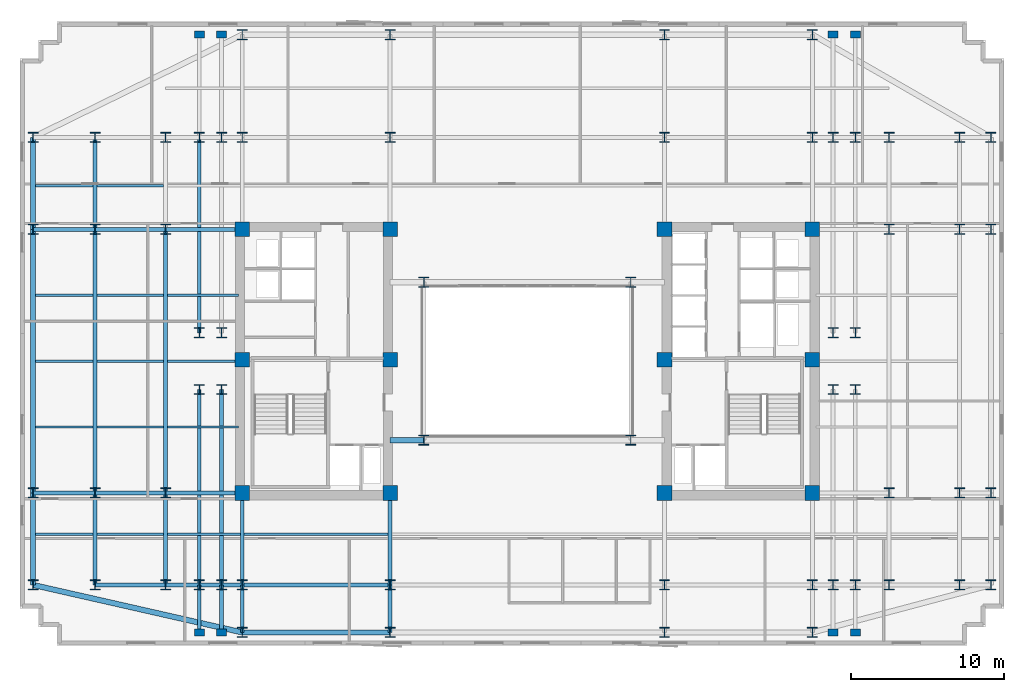
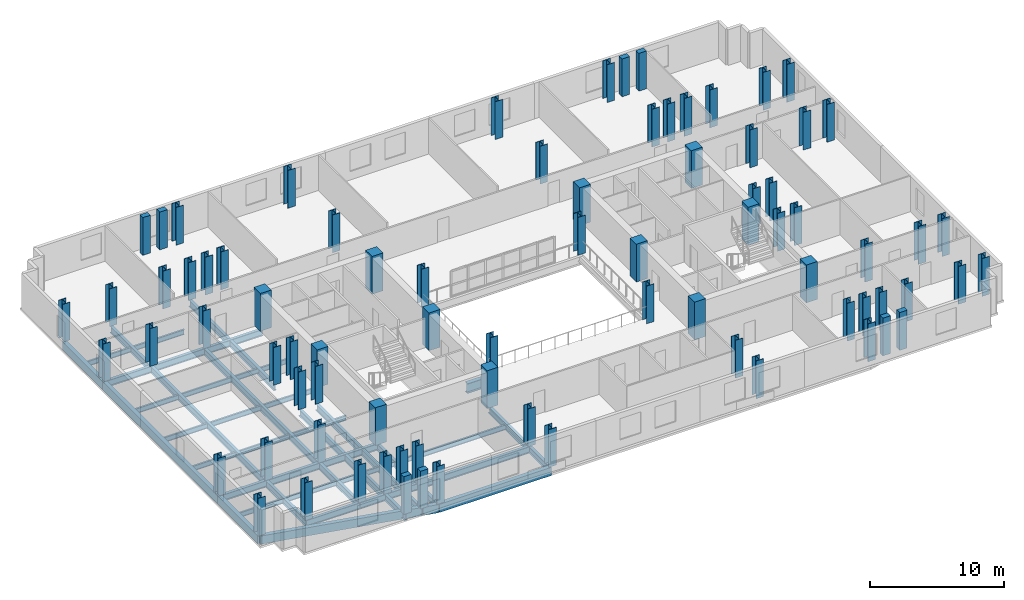
# One storey, part 1 of 12: 80 columns, 44 beams.
"""IFC4 building model written with IfcOpenShell, lengths in metres."""

import ifcopenshell
import ifcopenshell.guid

model = None  # the IFC model being written
_history = None  # IfcOwnerHistory: only IFC2X3 demands one
_inside = {}  # id of a spatial element -> (the spatial element, [elements in it])
_under = {}  # id of a project, library or spatial element -> (it, [spatial elements below it])
_declared = {}  # id of a project -> (the project, [libraries it declares])
_typed = {}  # id of a type object -> (the type object, [elements of that type])
_made_of = {}  # id of a material, layer set ... -> (it, [elements and type objects made of it])


def new_model(schema):
    """Start an empty IFC model of exactly this schema.

    Asked for "IFC4X3", IfcOpenShell would pick the latest addendum, in which some entities
    have other attributes; the version numbers below select the first issue.
    IFC2X3 requires an IfcOwnerHistory on every rooted entity: one is made here for all.
    """
    global model, _history
    if schema == "IFC4X3":
        model = ifcopenshell.file(schema_version=(4, 3, 0, 0))
    else:
        model = ifcopenshell.file(schema=schema)
    _inside.clear()
    _under.clear()
    _declared.clear()
    _typed.clear()
    _made_of.clear()
    _history = None
    if model.schema == "IFC2X3":
        org = make("IfcOrganization", Name="unknown")
        user = make(
            "IfcPersonAndOrganization",
            ThePerson=make("IfcPerson", FamilyName="unknown"),
            TheOrganization=org,
        )
        app = make(
            "IfcApplication",
            ApplicationDeveloper=org,
            Version="unknown",
            ApplicationFullName="unknown",
            ApplicationIdentifier="unknown",
        )
        _history = make(
            "IfcOwnerHistory",
            OwningUser=user,
            OwningApplication=app,
            ChangeAction="ADDED",
            CreationDate=0,
        )
    return model


def make(cls, **values):
    """One entity of the class cls with the attributes given. An attribute that is None is left unset."""
    return model.create_entity(
        cls, **{name: value for name, value in values.items() if value is not None}
    )


def rooted(cls, **values):
    """An entity with a GlobalId (a new one), such as an element, a storey or a relation."""
    return make(cls, GlobalId=ifcopenshell.guid.new(), OwnerHistory=_history, **values)


def si_unit(unit_type, name, prefix=None):
    """IfcSIUnit, for example si_unit("LENGTHUNIT", "METRE", prefix="MILLI")."""
    return make("IfcSIUnit", UnitType=unit_type, Prefix=prefix, Name=name)


def assignment(units):
    """IfcUnitAssignment: the units of a project."""
    return None if units is None else make("IfcUnitAssignment", Units=units)


def point(xyz):
    """IfcCartesianPoint."""
    return None if xyz is None else make("IfcCartesianPoint", Coordinates=xyz)


def direction(xyz):
    """IfcDirection."""
    return None if xyz is None else make("IfcDirection", DirectionRatios=xyz)


def frame(location, z_axis=None, x_axis=None):
    """IfcAxis2Placement3D, a coordinate frame: its origin and axes. An axis left out is left unset."""
    return make(
        "IfcAxis2Placement3D",
        Location=point(location),
        Axis=direction(z_axis),
        RefDirection=direction(x_axis),
    )


def frame_2d(location, x_axis=None):
    """IfcAxis2Placement2D, a coordinate frame in the plane: its origin and x axis."""
    return make(
        "IfcAxis2Placement2D", Location=point(location), RefDirection=direction(x_axis)
    )


def origin():
    """The frame at (0, 0, 0) with its axes left unset."""
    return frame((0.0, 0.0, 0.0))


def origin_2d():
    """The frame at (0, 0) in the plane with its x axis left unset."""
    return frame_2d((0.0, 0.0))


def place(relative_to, where):
    """IfcLocalPlacement: puts the frame where relative to a parent placement (None: the world)."""
    return make(
        "IfcLocalPlacement", PlacementRelTo=relative_to, RelativePlacement=where
    )


def context(
    kind, dimensions, precision=None, world=None, true_north=None, identifier=None
):
    """IfcGeometricRepresentationContext, for example the 3D "Model" context."""
    return make(
        "IfcGeometricRepresentationContext",
        ContextIdentifier=identifier,
        ContextType=kind,
        CoordinateSpaceDimension=dimensions,
        Precision=precision,
        WorldCoordinateSystem=world,
        TrueNorth=true_north,
    )


def subcontext(parent, identifier, kind, view, scale=None):
    """IfcGeometricRepresentationSubContext, for example "Body" below "Model"."""
    return make(
        "IfcGeometricRepresentationSubContext",
        ContextIdentifier=identifier,
        ContextType=kind,
        ParentContext=parent,
        TargetScale=scale,
        TargetView=view,
    )


def project(units=None, contexts=None):
    """IfcProject with its units and contexts."""
    return rooted(
        "IfcProject",
        Name="project",
        RepresentationContexts=contexts,
        UnitsInContext=assignment(units),
    )


def spatial(cls, under=None, at=None, **own):
    """A site, building, storey or space (cls), placed at a placement, below another one or the project."""
    s = rooted(cls, ObjectPlacement=at, **own)
    if under is not None:
        _under.setdefault(under.id(), (under, []))[1].append(s)
    return s


def profile(cls, at=None, kind="AREA", **sizes):
    """A parametric profile (cls). Its sizes go by their IFC names, for example OverallWidth=200.0."""
    return make(cls, ProfileType=kind, Position=at, **sizes)


def rectangle(**sizes):
    """IfcRectangleProfileDef."""
    return profile("IfcRectangleProfileDef", **sizes)


def i_section(**sizes):
    """IfcIShapeProfileDef."""
    return profile("IfcIShapeProfileDef", **sizes)


def extrude(swept, where, along, depth):
    """IfcExtrudedAreaSolid: the profile swept, set in the frame where, extruded along a direction by depth."""
    return make(
        "IfcExtrudedAreaSolid",
        SweptArea=swept,
        Position=where,
        ExtrudedDirection=direction(along),
        Depth=depth,
    )


def shape(context_of_items, identifier, shape_type, items):
    """IfcShapeRepresentation: the items that make up one representation, for example the "Body"."""
    return make(
        "IfcShapeRepresentation",
        ContextOfItems=context_of_items,
        RepresentationIdentifier=identifier,
        RepresentationType=shape_type,
        Items=items,
    )


def material(Name=None, Category=None):
    """IfcMaterial."""
    return make("IfcMaterial", Name=Name, Category=Category)


def material_profile(
    of_material, cross_section, Name=None, Category=None, Priority=None
):
    """IfcMaterialProfile: a cross section and its material."""
    return make(
        "IfcMaterialProfile",
        Name=Name,
        Material=of_material,
        Profile=cross_section,
        Priority=Priority,
        Category=Category,
    )


def profile_set(profiles, Name=None, composite=None):
    """IfcMaterialProfileSet."""
    return make(
        "IfcMaterialProfileSet",
        Name=Name,
        MaterialProfiles=profiles,
        CompositeProfile=composite,
    )


def made_of(thing, what):
    """Note that an element or type object is made of a material, layer set ...; save() writes the relation."""
    if what is not None:
        _made_of.setdefault(what.id(), (what, []))[1].append(thing)
    return thing


def type_object(cls, material=None, **own):
    """A type object (cls), such as IfcWallType, which elements share."""
    return made_of(rooted(cls, **own), material)


def element(
    cls,
    number,
    at=None,
    inside=None,
    cuts=None,
    type_object=None,
    material=None,
    context=None,
    identifier="Body",
    shape_type=None,
    held_by="IfcProductDefinitionShape",
    body=None,
    shapes=None,
    **own,
):
    """One element of the class cls, such as IfcWall. Its Tag is "e" and its number.

    at: its placement. inside: the storey or other place that contains it. cuts: it is an
    opening in that element (IfcRelVoidsElement). A single representation is given by context,
    identifier, shape_type and body (its items); several are given by shapes. held_by: the class
    of the entity that holds the representations. save() writes the other relations.
    """
    e = rooted(cls, Tag="e%d" % number, ObjectPlacement=at, **own)
    if body is not None:
        shapes = [shape(context, identifier, shape_type, body)]
    if shapes is not None:
        e.Representation = make(held_by, Representations=shapes)
    if inside is not None:
        _inside.setdefault(inside.id(), (inside, []))[1].append(e)
    if cuts is not None:
        rooted(
            "IfcRelVoidsElement", RelatingBuildingElement=cuts, RelatedOpeningElement=e
        )
    if type_object is not None:
        _typed.setdefault(type_object.id(), (type_object, []))[1].append(e)
    return made_of(e, material)


def aggregate(whole, parts):
    """IfcRelAggregates: a whole, such as a stair, and the parts it consists of."""
    return rooted("IfcRelAggregates", RelatingObject=whole, RelatedObjects=parts)


def save(model, path):
    """Write the relations noted so far, then the file.

    IfcRelAggregates (storeys below a building ...), IfcRelContainedInSpatialStructure (elements
    in a storey), IfcRelDefinesByType, IfcRelAssociatesMaterial and IfcRelDeclares: one each for
    every whole, place, type object, material and project.
    """
    for whole, parts in _under.values():
        aggregate(whole, parts)
    for where, things in _inside.values():
        rooted(
            "IfcRelContainedInSpatialStructure",
            RelatedElements=things,
            RelatingStructure=where,
        )
    for kind, things in _typed.values():
        rooted("IfcRelDefinesByType", RelatedObjects=things, RelatingType=kind)
    for what, things in _made_of.values():
        rooted("IfcRelAssociatesMaterial", RelatedObjects=things, RelatingMaterial=what)
    for by, libraries in _declared.values():
        rooted("IfcRelDeclares", RelatingContext=by, RelatedDefinitions=libraries)
    model.write(path)


model = new_model("IFC4")

# Units and contexts
model_context = context("Model", 3, precision=1e-05, world=origin(), true_north=direction((0.0, 1.0)))
body_context = subcontext(model_context, "Body", "Model", "MODEL_VIEW")
ifc_project = project(units=[si_unit("LENGTHUNIT", "METRE"), si_unit("AREAUNIT", "SQUARE_METRE"), si_unit("VOLUMEUNIT", "CUBIC_METRE"), si_unit("PLANEANGLEUNIT", "RADIAN"), si_unit("MASSUNIT", "GRAM", prefix="KILO")], contexts=[model_context])

# Site, building, storey
site_placement = place(None, origin())
site = spatial("IfcSite", under=ifc_project, at=site_placement, CompositionType="ELEMENT")
building_placement = place(site_placement, origin())
building = spatial("IfcBuilding", under=site, at=building_placement, Name="Velakula Bourse", CompositionType="ELEMENT")
storey_placement = place(building_placement, frame((0.0, 0.0, 148.449951171875)))
storey = spatial("IfcBuildingStorey", under=building, at=storey_placement, Name="L40", CompositionType="ELEMENT", Elevation=148.449951171875)

# Columns
ifc_material_1 = material(Name="Concrete M70 (fck 70 MPa)", Category="concrete")
ifc_material_profile_1 = material_profile(ifc_material_1, rectangle(XDim=0.949951171875, YDim=0.949951171875, at=origin_2d()), Name="Concrete M70 (fck 70 MPa)")
ifc_profile_set_1 = profile_set([ifc_material_profile_1], Name="Concrete M70 (fck 70 MPa)")
column_type_1 = type_object("IfcColumnType", Name="COL-RC-950", PredefinedType="COLUMN", material=ifc_profile_set_1)
for number, where, z_axis, x_axis, name in (
    (1, (-8.949951171875, -8.60009765625, 0.0), (0.0, 0.0, 1.0), (1.0, 0.0, 0.0), "L40 Core Boundary Column 01"),
    (2, (-8.949951171875, 0.10009765625, 0.0), (0.0, 0.0, 1.0), (1.0, 0.0, 0.0), "L40 Core Boundary Column 02"),
    (3, (-8.949951171875, 8.60009765625, 0.0), (0.0, 0.0, 1.0), (1.0, 0.0, 0.0), "L40 Core Boundary Column 03"),
    (4, (-18.60009765625, -8.60009765625, 0.0), (0.0, 0.0, 1.0), (1.0, 0.0, 0.0), "L40 Core Boundary Column 04"),
    (5, (-18.60009765625, 0.10009765625, 0.0), (0.0, 0.0, 1.0), (1.0, 0.0, 0.0), "L40 Core Boundary Column 05"),
    (6, (-18.60009765625, 8.60009765625, 0.0), (0.0, 0.0, 1.0), (1.0, 0.0, 0.0), "L40 Core Boundary Column 06"),
    (7, (8.949951171875, -8.60009765625, 0.0), (0.0, 0.0, 1.0), (1.0, 0.0, 0.0), "L40 Core Boundary Column 07"),
    (8, (8.949951171875, 0.10009765625, 0.0), (0.0, 0.0, 1.0), (1.0, 0.0, 0.0), "L40 Core Boundary Column 08"),
    (9, (8.949951171875, 8.60009765625, 0.0), (0.0, 0.0, 1.0), (1.0, 0.0, 0.0), "L40 Core Boundary Column 09"),
    (10, (18.60009765625, -8.60009765625, 0.0), (0.0, 0.0, 1.0), (1.0, 0.0, 0.0), "L40 Core Boundary Column 10"),
    (11, (18.60009765625, 0.10009765625, 0.0), (0.0, 0.0, 1.0), (1.0, 0.0, 0.0), "L40 Core Boundary Column 11"),
    (12, (18.60009765625, 8.60009765625, 0.0), (0.0, 0.0, 1.0), (1.0, 0.0, 0.0), "L40 Core Boundary Column 12"),
):
    element("IfcColumn", number, at=place(storey_placement, frame(where, z_axis=z_axis, x_axis=x_axis)), inside=storey, type_object=column_type_1, Name=name, PredefinedType="COLUMN", context=body_context, shape_type="SweptSolid", body=[
        extrude(rectangle(XDim=0.949951171875, YDim=0.949951171875, at=origin_2d()), origin(), (0.0, 0.0, 1.0), 3.449951171875),
    ])
ifc_material_2 = material(Name="Steel IS 2062 Grade 350 (E350)", Category="steel")
ifc_material_profile_2 = material_profile(ifc_material_2, i_section(OverallWidth=0.64990234375, OverallDepth=0.64990234375, WebThickness=0.028076171875, FlangeThickness=0.0400390625, at=origin_2d()), Name="Steel IS 2062 Grade 350 (E350)")
ifc_profile_set_2 = profile_set([ifc_material_profile_2], Name="Steel IS 2062 Grade 350 (E350)")
column_type_2 = type_object("IfcColumnType", Name="COL-STL-650", PredefinedType="COLUMN", material=ifc_profile_set_2)
for number, where, z_axis, x_axis, name in (
    (13, (-6.75, -5.14990234375, 0.0), (0.0, 0.0, 1.0), (1.0, 0.0, 0.0), "L40 Central Spine Column 01"),
    (14, (-6.75, 5.14990234375, 0.0), (0.0, 0.0, 1.0), (1.0, 0.0, 0.0), "L40 Central Spine Column 02"),
    (15, (6.75, -5.14990234375, 0.0), (0.0, 0.0, 1.0), (1.0, 0.0, 0.0), "L40 Central Spine Column 03"),
    (16, (6.75, 5.14990234375, 0.0), (0.0, 0.0, 1.0), (1.0, 0.0, 0.0), "L40 Central Spine Column 04"),
    (17, (-21.39990234375, -14.60009765625, 0.0), (0.0, 0.0, 1.0), (1.0, 0.0, 0.0), "L40 Tower Fulcrum Column 01"),
    (18, (-21.39990234375, 14.60009765625, 0.0), (0.0, 0.0, 1.0), (1.0, 0.0, 0.0), "L40 Tower Fulcrum Column 02"),
    (19, (-19.949951171875, -14.60009765625, 0.0), (0.0, 0.0, 1.0), (1.0, 0.0, 0.0), "L40 Tower Fulcrum Column 03"),
    (20, (-19.949951171875, 14.60009765625, 0.0), (0.0, 0.0, 1.0), (1.0, 0.0, 0.0), "L40 Tower Fulcrum Column 04"),
    (21, (-18.60009765625, -14.60009765625, 0.0), (0.0, 0.0, 1.0), (1.0, 0.0, 0.0), "L40 Tower Fulcrum Column 05"),
    (22, (-18.60009765625, 14.60009765625, 0.0), (0.0, 0.0, 1.0), (1.0, 0.0, 0.0), "L40 Tower Fulcrum Column 06"),
    (23, (-8.949951171875, -14.60009765625, 0.0), (0.0, 0.0, 1.0), (1.0, 0.0, 0.0), "L40 Tower Fulcrum Column 07"),
    (24, (-8.949951171875, 14.60009765625, 0.0), (0.0, 0.0, 1.0), (1.0, 0.0, 0.0), "L40 Tower Fulcrum Column 08"),
    (25, (8.949951171875, -14.60009765625, 0.0), (0.0, 0.0, 1.0), (1.0, 0.0, 0.0), "L40 Tower Fulcrum Column 09"),
    (26, (8.949951171875, 14.60009765625, 0.0), (0.0, 0.0, 1.0), (1.0, 0.0, 0.0), "L40 Tower Fulcrum Column 10"),
    (27, (18.60009765625, -14.60009765625, 0.0), (0.0, 0.0, 1.0), (1.0, 0.0, 0.0), "L40 Tower Fulcrum Column 11"),
    (28, (18.60009765625, 14.60009765625, 0.0), (0.0, 0.0, 1.0), (1.0, 0.0, 0.0), "L40 Tower Fulcrum Column 12"),
    (29, (19.949951171875, -14.60009765625, 0.0), (0.0, 0.0, 1.0), (1.0, 0.0, 0.0), "L40 Tower Fulcrum Column 13"),
    (30, (19.949951171875, 14.60009765625, 0.0), (0.0, 0.0, 1.0), (1.0, 0.0, 0.0), "L40 Tower Fulcrum Column 14"),
    (31, (21.39990234375, -14.60009765625, 0.0), (0.0, 0.0, 1.0), (1.0, 0.0, 0.0), "L40 Tower Fulcrum Column 15"),
    (32, (21.39990234375, 14.60009765625, 0.0), (0.0, 0.0, 1.0), (1.0, 0.0, 0.0), "L40 Tower Fulcrum Column 16"),
    (33, (-21.39990234375, -1.85009765625, 0.0), (0.0, 0.0, 1.0), (1.0, 0.0, 0.0), "L40 Tower Fulcrum Column 17"),
    (34, (-21.39990234375, 1.85009765625, 0.0), (0.0, 0.0, 1.0), (1.0, 0.0, 0.0), "L40 Tower Fulcrum Column 18"),
    (35, (-19.949951171875, -1.85009765625, 0.0), (0.0, 0.0, 1.0), (1.0, 0.0, 0.0), "L40 Tower Fulcrum Column 19"),
    (36, (-19.949951171875, 1.85009765625, 0.0), (0.0, 0.0, 1.0), (1.0, 0.0, 0.0), "L40 Tower Fulcrum Column 20"),
    (37, (19.949951171875, -1.85009765625, 0.0), (0.0, 0.0, 1.0), (1.0, 0.0, 0.0), "L40 Tower Fulcrum Column 21"),
    (38, (19.949951171875, 1.85009765625, 0.0), (0.0, 0.0, 1.0), (1.0, 0.0, 0.0), "L40 Tower Fulcrum Column 22"),
    (39, (21.39990234375, -1.85009765625, 0.0), (0.0, 0.0, 1.0), (1.0, 0.0, 0.0), "L40 Tower Fulcrum Column 23"),
    (40, (21.39990234375, 1.85009765625, 0.0), (0.0, 0.0, 1.0), (1.0, 0.0, 0.0), "L40 Tower Fulcrum Column 24"),
    (41, (-23.60009765625, -14.60009765625, 0.0), (0.0, 0.0, 1.0), (1.0, 0.0, 0.0), "L40 Mid-Wing Plumb Column 01"),
    (42, (-23.60009765625, -8.60009765625, 0.0), (0.0, 0.0, 1.0), (1.0, 0.0, 0.0), "L40 Mid-Wing Plumb Column 02"),
    (43, (-23.60009765625, 8.60009765625, 0.0), (0.0, 0.0, 1.0), (1.0, 0.0, 0.0), "L40 Mid-Wing Plumb Column 03"),
    (44, (-23.60009765625, 14.60009765625, 0.0), (0.0, 0.0, 1.0), (1.0, 0.0, 0.0), "L40 Mid-Wing Plumb Column 04"),
    (45, (23.60009765625, -14.60009765625, 0.0), (0.0, 0.0, 1.0), (1.0, 0.0, 0.0), "L40 Mid-Wing Plumb Column 05"),
    (46, (23.60009765625, -8.60009765625, 0.0), (0.0, 0.0, 1.0), (1.0, 0.0, 0.0), "L40 Mid-Wing Plumb Column 06"),
    (47, (23.60009765625, 8.60009765625, 0.0), (0.0, 0.0, 1.0), (1.0, 0.0, 0.0), "L40 Mid-Wing Plumb Column 07"),
    (48, (23.60009765625, 14.60009765625, 0.0), (0.0, 0.0, 1.0), (1.0, 0.0, 0.0), "L40 Mid-Wing Plumb Column 08"),
    (49, (-28.199951171875, -14.60009765625, 0.0), (0.0, 0.0, 1.0), (1.0, 0.0, 0.0), "L40 Lower Wing Column 01"),
    (50, (-28.199951171875, -8.60009765625, 0.0), (0.0, 0.0, 1.0), (1.0, 0.0, 0.0), "L40 Lower Wing Column 02"),
    (51, (-28.199951171875, 8.60009765625, 0.0), (0.0, 0.0, 1.0), (1.0, 0.0, 0.0), "L40 Lower Wing Column 03"),
    (52, (-28.199951171875, 14.60009765625, 0.0), (0.0, 0.0, 1.0), (1.0, 0.0, 0.0), "L40 Lower Wing Column 04"),
    (53, (28.199951171875, -14.60009765625, 0.0), (0.0, 0.0, 1.0), (1.0, 0.0, 0.0), "L40 Lower Wing Column 05"),
    (54, (28.199951171875, -8.60009765625, 0.0), (0.0, 0.0, 1.0), (1.0, 0.0, 0.0), "L40 Lower Wing Column 06"),
    (55, (28.199951171875, 8.60009765625, 0.0), (0.0, 0.0, 1.0), (1.0, 0.0, 0.0), "L40 Lower Wing Column 07"),
    (56, (28.199951171875, 14.60009765625, 0.0), (0.0, 0.0, 1.0), (1.0, 0.0, 0.0), "L40 Lower Wing Column 08"),
    (57, (-18.60009765625, -17.699951171875, 0.0), (0.0, 0.0, 1.0), (1.0, 0.0, 0.0), "L40 Block B3 Perimeter Column S1"),
    (58, (-8.949951171875, -17.699951171875, 0.0), (0.0, 0.0, 1.0), (1.0, 0.0, 0.0), "L40 Block B3 Perimeter Column S2"),
    (59, (8.949951171875, -17.699951171875, 0.0), (0.0, 0.0, 1.0), (1.0, 0.0, 0.0), "L40 Block B3 Perimeter Column S3"),
    (60, (18.60009765625, -17.699951171875, 0.0), (0.0, 0.0, 1.0), (1.0, 0.0, 0.0), "L40 Block B3 Perimeter Column S4"),
    (61, (-18.60009765625, 21.300048828125, 0.0), (0.0, 0.0, 1.0), (1.0, 0.0, 0.0), "L40 Block B3 Perimeter Column N1"),
    (62, (-8.949951171875, 21.300048828125, 0.0), (0.0, 0.0, 1.0), (1.0, 0.0, 0.0), "L40 Block B3 Perimeter Column N2"),
    (63, (8.949951171875, 21.300048828125, 0.0), (0.0, 0.0, 1.0), (1.0, 0.0, 0.0), "L40 Block B3 Perimeter Column N3"),
    (64, (18.60009765625, 21.300048828125, 0.0), (0.0, 0.0, 1.0), (1.0, 0.0, 0.0), "L40 Block B3 Perimeter Column N4"),
    (65, (-32.25, -14.60009765625, 0.0), (0.0, 0.0, 1.0), (1.0, 0.0, 0.0), "L40 Block B3 Perimeter Column W1"),
    (66, (-32.25, -8.60009765625, 0.0), (0.0, 0.0, 1.0), (1.0, 0.0, 0.0), "L40 Block B3 Perimeter Column W2"),
    (67, (-32.25, 8.60009765625, 0.0), (0.0, 0.0, 1.0), (1.0, 0.0, 0.0), "L40 Block B3 Perimeter Column W3"),
    (68, (-32.25, 14.60009765625, 0.0), (0.0, 0.0, 1.0), (1.0, 0.0, 0.0), "L40 Block B3 Perimeter Column W4"),
    (69, (30.25, -14.60009765625, 0.0), (0.0, 0.0, 1.0), (1.0, 0.0, 0.0), "L40 Block B3 Perimeter Column E1"),
    (70, (30.25, -8.60009765625, 0.0), (0.0, 0.0, 1.0), (1.0, 0.0, 0.0), "L40 Block B3 Perimeter Column E2"),
    (71, (30.25, 8.60009765625, 0.0), (0.0, 0.0, 1.0), (1.0, 0.0, 0.0), "L40 Block B3 Perimeter Column E3"),
    (72, (30.25, 14.60009765625, 0.0), (0.0, 0.0, 1.0), (1.0, 0.0, 0.0), "L40 Block B3 Perimeter Column E4"),
):
    element("IfcColumn", number, at=place(storey_placement, frame(where, z_axis=z_axis, x_axis=x_axis)), inside=storey, type_object=column_type_2, Name=name, PredefinedType="COLUMN", context=body_context, shape_type="SweptSolid", body=[
        extrude(i_section(OverallWidth=0.64990234375, OverallDepth=0.64990234375, WebThickness=0.028076171875, FlangeThickness=0.0400390625, at=origin_2d()), origin(), (0.0, 0.0, 1.0), 3.449951171875),
    ])
ifc_material_3 = material(Name="Precast concrete M45 (fck 45 MPa)", Category="concrete")
ifc_material_profile_3 = material_profile(ifc_material_3, rectangle(XDim=0.64990234375, YDim=0.449951171875, at=origin_2d()), Name="Precast concrete M45 (fck 45 MPa)")
ifc_profile_set_3 = profile_set([ifc_material_profile_3], Name="Precast concrete M45 (fck 45 MPa)")
column_type_3 = type_object("IfcColumnType", Name="PIL-BRICK-650", PredefinedType="PILASTER", material=ifc_profile_set_3)
for number, where, z_axis, x_axis, name in (
    (73, (-21.39990234375, -17.699951171875, 0.0), (0.0, 0.0, 1.0), (1.0, 0.0, 0.0), "L40 Brick Pier Pilaster 01"),
    (74, (-19.949951171875, -17.699951171875, 0.0), (0.0, 0.0, 1.0), (1.0, 0.0, 0.0), "L40 Brick Pier Pilaster 02"),
    (75, (19.949951171875, -17.699951171875, 0.0), (0.0, 0.0, 1.0), (1.0, 0.0, 0.0), "L40 Brick Pier Pilaster 03"),
    (76, (21.39990234375, -17.699951171875, 0.0), (0.0, 0.0, 1.0), (1.0, 0.0, 0.0), "L40 Brick Pier Pilaster 04"),
    (77, (-21.39990234375, 21.300048828125, 0.0), (0.0, 0.0, 1.0), (1.0, 0.0, 0.0), "L40 Brick Pier Pilaster 05"),
    (78, (-19.949951171875, 21.300048828125, 0.0), (0.0, 0.0, 1.0), (1.0, 0.0, 0.0), "L40 Brick Pier Pilaster 06"),
    (79, (19.949951171875, 21.300048828125, 0.0), (0.0, 0.0, 1.0), (1.0, 0.0, 0.0), "L40 Brick Pier Pilaster 07"),
    (80, (21.39990234375, 21.300048828125, 0.0), (0.0, 0.0, 1.0), (1.0, 0.0, 0.0), "L40 Brick Pier Pilaster 08"),
):
    element("IfcColumn", number, at=place(storey_placement, frame(where, z_axis=z_axis, x_axis=x_axis)), inside=storey, type_object=column_type_3, Name=name, PredefinedType="PILASTER", context=body_context, shape_type="SweptSolid", body=[
        extrude(rectangle(XDim=0.64990234375, YDim=0.449951171875, at=origin_2d()), origin(), (0.0, 0.0, 1.0), 3.449951171875),
    ])

# Beams
ifc_material_profile_4 = material_profile(ifc_material_2, i_section(OverallWidth=0.25, OverallDepth=0.60009765625, WebThickness=0.01123046875, FlangeThickness=0.021240234375, at=origin_2d()), Name="Steel IS 2062 Grade 350 (E350)")
ifc_profile_set_4 = profile_set([ifc_material_profile_4], Name="Steel IS 2062 Grade 350 (E350)")
beam_type_1 = type_object("IfcBeamType", Name="BM-GRD-600M", PredefinedType="BEAM", material=ifc_profile_set_4)
for number, where, z_axis, x_axis, name in (
    (81, (-18.60009765625, -14.60009765625, -0.47998046875), (0.0, 1.0, 0.0), (-1.0, 0.0, 0.0), "L40 Fulcrum Grid Girder FLC-WS"),
    (82, (-8.949951171875, -14.60009765625, -0.47998046875), (0.0, 1.0, 0.0), (-1.0, 0.0, 0.0), "L40 Fulcrum Grid Girder FLC-WCS"),
):
    element("IfcBeam", number, at=place(storey_placement, frame(where, z_axis=z_axis, x_axis=x_axis)), inside=storey, type_object=beam_type_1, Name=name, PredefinedType="BEAM", context=body_context, shape_type="SweptSolid", body=[
        extrude(i_section(OverallWidth=0.25, OverallDepth=0.60009765625, WebThickness=0.01123046875, FlangeThickness=0.021240234375, at=origin_2d()), origin(), (0.0, 0.0, 1.0), 6.0),
    ])
beam_1_placement = place(storey_placement, frame((-18.60009765625, -14.60009765625, -0.47998046875), z_axis=(1.0, 0.0, 0.0), x_axis=(0.0, 1.0, 0.0)))
element("IfcBeam", 83, at=beam_1_placement, inside=storey, type_object=beam_type_1, Name="L40 Fulcrum Grid Girder FLC-S1", PredefinedType="BEAM", context=body_context, shape_type="SweptSolid", body=[
    extrude(i_section(OverallWidth=0.25, OverallDepth=0.60009765625, WebThickness=0.01123046875, FlangeThickness=0.021240234375, at=origin_2d()), origin(), (0.0, 0.0, 1.0), 9.650146484375),
])
for number, where, z_axis, x_axis, name in (
    (84, (-21.39990234375, -14.60009765625, -0.47998046875), (0.0, 1.0, 0.0), (-1.0, 0.0, 0.0), "L40 Fulcrum Grid Girder FLC-PSW1"),
    (85, (-21.39990234375, 1.85009765625, -0.47998046875), (0.0, 1.0, 0.0), (-1.0, 0.0, 0.0), "L40 Fulcrum Grid Girder FLC-PNW1"),
    (86, (-19.949951171875, -14.60009765625, -0.47998046875), (0.0, 1.0, 0.0), (-1.0, 0.0, 0.0), "L40 Fulcrum Grid Girder FLC-PSW2"),
):
    element("IfcBeam", number, at=place(storey_placement, frame(where, z_axis=z_axis, x_axis=x_axis)), inside=storey, type_object=beam_type_1, Name=name, PredefinedType="BEAM", context=body_context, shape_type="SweptSolid", body=[
        extrude(i_section(OverallWidth=0.25, OverallDepth=0.60009765625, WebThickness=0.01123046875, FlangeThickness=0.021240234375, at=origin_2d()), origin(), (0.0, 0.0, 1.0), 12.75),
    ])
for number, where, z_axis, x_axis, name in (
    (87, (-23.60009765625, -14.60009765625, -0.47998046875), (1.0, 0.0, 0.0), (0.0, 1.0, 0.0), "L40 Fulcrum Grid Girder MWG-WS1"),
    (88, (-23.60009765625, -8.60009765625, -0.47998046875), (1.0, 0.0, 0.0), (0.0, 1.0, 0.0), "L40 Fulcrum Grid Girder MWG-WS2"),
    (89, (-23.60009765625, 8.60009765625, -0.47998046875), (1.0, 0.0, 0.0), (0.0, 1.0, 0.0), "L40 Fulcrum Grid Girder MWG-WN1"),
):
    element("IfcBeam", number, at=place(storey_placement, frame(where, z_axis=z_axis, x_axis=x_axis)), inside=storey, type_object=beam_type_1, Name=name, PredefinedType="BEAM", context=body_context, shape_type="SweptSolid", body=[
        extrude(i_section(OverallWidth=0.25, OverallDepth=0.60009765625, WebThickness=0.01123046875, FlangeThickness=0.021240234375, at=origin_2d()), origin(), (0.0, 0.0, 1.0), 5.0),
    ])
beam_2_placement = place(storey_placement, frame((-23.60009765625, -14.60009765625, -0.47998046875), z_axis=(0.0, 1.0, 0.0), x_axis=(-1.0, 0.0, 0.0)))
element("IfcBeam", 90, at=beam_2_placement, inside=storey, type_object=beam_type_1, Name="L40 Fulcrum Grid Girder MWG-WNS1", PredefinedType="BEAM", context=body_context, shape_type="SweptSolid", body=[
    extrude(i_section(OverallWidth=0.25, OverallDepth=0.60009765625, WebThickness=0.01123046875, FlangeThickness=0.021240234375, at=origin_2d()), origin(), (0.0, 0.0, 1.0), 6.0),
])
beam_3_placement = place(storey_placement, frame((-23.60009765625, -8.60009765625, -0.47998046875), z_axis=(0.0, 1.0, 0.0), x_axis=(-1.0, 0.0, 0.0)))
element("IfcBeam", 91, at=beam_3_placement, inside=storey, type_object=beam_type_1, Name="L40 Fulcrum Grid Girder MWG-WNS2", PredefinedType="BEAM", context=body_context, shape_type="SweptSolid", body=[
    extrude(i_section(OverallWidth=0.25, OverallDepth=0.60009765625, WebThickness=0.01123046875, FlangeThickness=0.021240234375, at=origin_2d()), origin(), (0.0, 0.0, 1.0), 17.2001953125),
])
for number, where, z_axis, x_axis, name in (
    (92, (-28.199951171875, -14.60009765625, -0.47998046875), (1.0, 0.0, 0.0), (0.0, 1.0, 0.0), "L40 Fulcrum Grid Girder WNG-WS1"),
    (93, (-28.199951171875, -8.60009765625, -0.47998046875), (1.0, 0.0, 0.0), (0.0, 1.0, 0.0), "L40 Fulcrum Grid Girder WNG-WS2"),
    (94, (-28.199951171875, 8.60009765625, -0.47998046875), (1.0, 0.0, 0.0), (0.0, 1.0, 0.0), "L40 Fulcrum Grid Girder WNG-WN1"),
):
    element("IfcBeam", number, at=place(storey_placement, frame(where, z_axis=z_axis, x_axis=x_axis)), inside=storey, type_object=beam_type_1, Name=name, PredefinedType="BEAM", context=body_context, shape_type="SweptSolid", body=[
        extrude(i_section(OverallWidth=0.25, OverallDepth=0.60009765625, WebThickness=0.01123046875, FlangeThickness=0.021240234375, at=origin_2d()), origin(), (0.0, 0.0, 1.0), 4.599853515625),
    ])
beam_4_placement = place(storey_placement, frame((-28.199951171875, -14.60009765625, -0.47998046875), z_axis=(0.0, 1.0, 0.0), x_axis=(-1.0, 0.0, 0.0)))
element("IfcBeam", 95, at=beam_4_placement, inside=storey, type_object=beam_type_1, Name="L40 Fulcrum Grid Girder WNG-WNS1", PredefinedType="BEAM", context=body_context, shape_type="SweptSolid", body=[
    extrude(i_section(OverallWidth=0.25, OverallDepth=0.60009765625, WebThickness=0.01123046875, FlangeThickness=0.021240234375, at=origin_2d()), origin(), (0.0, 0.0, 1.0), 6.0),
])
beam_5_placement = place(storey_placement, frame((-28.199951171875, -8.60009765625, -0.47998046875), z_axis=(0.0, 1.0, 0.0), x_axis=(-1.0, 0.0, 0.0)))
element("IfcBeam", 96, at=beam_5_placement, inside=storey, type_object=beam_type_1, Name="L40 Fulcrum Grid Girder WNG-WNS2", PredefinedType="BEAM", context=body_context, shape_type="SweptSolid", body=[
    extrude(i_section(OverallWidth=0.25, OverallDepth=0.60009765625, WebThickness=0.01123046875, FlangeThickness=0.021240234375, at=origin_2d()), origin(), (0.0, 0.0, 1.0), 17.2001953125),
])
beam_6_placement = place(storey_placement, frame((-28.199951171875, 8.60009765625, -0.47998046875), z_axis=(0.0, 1.0, 0.0), x_axis=(-1.0, 0.0, 0.0)))
element("IfcBeam", 97, at=beam_6_placement, inside=storey, type_object=beam_type_1, Name="L40 Fulcrum Grid Girder WNG-WNS3", PredefinedType="BEAM", context=body_context, shape_type="SweptSolid", body=[
    extrude(i_section(OverallWidth=0.25, OverallDepth=0.60009765625, WebThickness=0.01123046875, FlangeThickness=0.021240234375, at=origin_2d()), origin(), (0.0, 0.0, 1.0), 6.0),
])
for number, where, z_axis, x_axis, name in (
    (98, (-18.60009765625, -14.60009765625, -0.47998046875), (0.0, -1.0, 0.0), (1.0, 0.0, 0.0), "L40 Perimeter Tie Girder S1"),
    (99, (-8.949951171875, -14.60009765625, -0.47998046875), (0.0, -1.0, 0.0), (1.0, 0.0, 0.0), "L40 Perimeter Tie Girder S2"),
):
    element("IfcBeam", number, at=place(storey_placement, frame(where, z_axis=z_axis, x_axis=x_axis)), inside=storey, type_object=beam_type_1, Name=name, PredefinedType="BEAM", context=body_context, shape_type="SweptSolid", body=[
        extrude(i_section(OverallWidth=0.25, OverallDepth=0.60009765625, WebThickness=0.01123046875, FlangeThickness=0.021240234375, at=origin_2d()), origin(), (0.0, 0.0, 1.0), 3.099853515625),
    ])
for number, where, z_axis, x_axis, name in (
    (100, (-28.199951171875, -8.60009765625, -0.47998046875), (-1.0, 0.0, 0.0), (0.0, -1.0, 0.0), "L40 Perimeter Tie Girder W2"),
    (101, (-28.199951171875, 8.60009765625, -0.47998046875), (-1.0, 0.0, 0.0), (0.0, -1.0, 0.0), "L40 Perimeter Tie Girder W3"),
):
    element("IfcBeam", number, at=place(storey_placement, frame(where, z_axis=z_axis, x_axis=x_axis)), inside=storey, type_object=beam_type_1, Name=name, PredefinedType="BEAM", context=body_context, shape_type="SweptSolid", body=[
        extrude(i_section(OverallWidth=0.25, OverallDepth=0.60009765625, WebThickness=0.01123046875, FlangeThickness=0.021240234375, at=origin_2d()), origin(), (0.0, 0.0, 1.0), 4.050048828125),
    ])
for number, where, z_axis, x_axis, name in (
    (102, (-21.39990234375, -14.60009765625, -0.47998046875), (0.0, -1.0, 0.0), (1.0, 0.0, 0.0), "L40 Perimeter Tie Girder P01"),
    (103, (-19.949951171875, -14.60009765625, -0.47998046875), (0.0, -1.0, 0.0), (1.0, 0.0, 0.0), "L40 Perimeter Tie Girder P02"),
):
    element("IfcBeam", number, at=place(storey_placement, frame(where, z_axis=z_axis, x_axis=x_axis)), inside=storey, type_object=beam_type_1, Name=name, PredefinedType="BEAM", context=body_context, shape_type="SweptSolid", body=[
        extrude(i_section(OverallWidth=0.25, OverallDepth=0.60009765625, WebThickness=0.01123046875, FlangeThickness=0.021240234375, at=origin_2d()), origin(), (0.0, 0.0, 1.0), 3.099853515625),
    ])
ifc_material_profile_5 = material_profile(ifc_material_2, i_section(OverallWidth=0.35009765625, OverallDepth=0.89990234375, WebThickness=0.02001953125, FlangeThickness=0.031982421875, at=origin_2d()), Name="Steel IS 2062 Grade 350 (E350)")
ifc_profile_set_5 = profile_set([ifc_material_profile_5], Name="Steel IS 2062 Grade 350 (E350)")
beam_type_2 = type_object("IfcBeamType", Name="BM-LNK-900", PredefinedType="BEAM", material=ifc_profile_set_5)
beam_7_placement = place(storey_placement, frame((-8.949951171875, -5.14990234375, -0.6298828125), z_axis=(1.0, 0.0, 0.0), x_axis=(0.0, 1.0, 0.0)))
element("IfcBeam", 104, at=beam_7_placement, inside=storey, type_object=beam_type_2, Name="L40 Primary Backbone Girder LNK-S1", PredefinedType="BEAM", context=body_context, shape_type="SweptSolid", body=[
    extrude(i_section(OverallWidth=0.35009765625, OverallDepth=0.89990234375, WebThickness=0.02001953125, FlangeThickness=0.031982421875, at=origin_2d()), origin(), (0.0, 0.0, 1.0), 2.199951171875),
])
ifc_material_profile_6 = material_profile(ifc_material_2, i_section(OverallWidth=0.14990234375, OverallDepth=0.449951171875, WebThickness=0.009521484375, FlangeThickness=0.017333984375, at=origin_2d()), Name="Steel IS 2062 Grade 350 (E350)")
ifc_profile_set_6 = profile_set([ifc_material_profile_6], Name="Steel IS 2062 Grade 350 (E350)")
beam_type_3 = type_object("IfcBeamType", Name="JST-TWR-450", PredefinedType="JOIST", material=ifc_profile_set_6)
beam_8_placement = place(storey_placement, frame((-32.074951171875, -11.300048828125, -0.405029296875), z_axis=(1.0, 0.0, 0.0), x_axis=(0.0, 1.0, 0.0)))
element("IfcBeam", 105, at=beam_8_placement, inside=storey, type_object=beam_type_3, Name="L40 Trading Floor Composite Joist 01", PredefinedType="JOIST", context=body_context, shape_type="SweptSolid", body=[
    extrude(i_section(OverallWidth=0.14990234375, OverallDepth=0.449951171875, WebThickness=0.009521484375, FlangeThickness=0.017333984375, at=origin_2d()), origin(), (0.0, 0.0, 1.0), 3.75),
])
beam_9_placement = place(storey_placement, frame((-28.074951171875, -11.300048828125, -0.405029296875), z_axis=(1.0, 0.0, 0.0), x_axis=(0.0, 1.0, 0.0)))
element("IfcBeam", 106, at=beam_9_placement, inside=storey, type_object=beam_type_3, Name="L40 Trading Floor Composite Joist 02", PredefinedType="JOIST", context=body_context, shape_type="SweptSolid", body=[
    extrude(i_section(OverallWidth=0.14990234375, OverallDepth=0.449951171875, WebThickness=0.009521484375, FlangeThickness=0.017333984375, at=origin_2d()), origin(), (0.0, 0.0, 1.0), 4.349853515625),
])
beam_10_placement = place(storey_placement, frame((-23.47509765625, -11.300048828125, -0.405029296875), z_axis=(1.0, 0.0, 0.0), x_axis=(0.0, 1.0, 0.0)))
element("IfcBeam", 107, at=beam_10_placement, inside=storey, type_object=beam_type_3, Name="L40 Trading Floor Composite Joist 03", PredefinedType="JOIST", context=body_context, shape_type="SweptSolid", body=[
    extrude(i_section(OverallWidth=0.14990234375, OverallDepth=0.449951171875, WebThickness=0.009521484375, FlangeThickness=0.017333984375, at=origin_2d()), origin(), (0.0, 0.0, 1.0), 4.75),
])
beam_11_placement = place(storey_placement, frame((-18.47509765625, -11.300048828125, -0.405029296875), z_axis=(1.0, 0.0, 0.0), x_axis=(0.0, 1.0, 0.0)))
element("IfcBeam", 108, at=beam_11_placement, inside=storey, type_object=beam_type_3, Name="L40 Trading Floor Composite Joist 04", PredefinedType="JOIST", context=body_context, shape_type="SweptSolid", body=[
    extrude(i_section(OverallWidth=0.14990234375, OverallDepth=0.449951171875, WebThickness=0.009521484375, FlangeThickness=0.017333984375, at=origin_2d()), origin(), (0.0, 0.0, 1.0), 9.400146484375),
])
beam_12_placement = place(storey_placement, frame((-32.074951171875, 11.449951171875, -0.405029296875), z_axis=(1.0, 0.0, 0.0), x_axis=(0.0, 1.0, 0.0)))
element("IfcBeam", 109, at=beam_12_placement, inside=storey, type_object=beam_type_3, Name="L40 Trading Floor Composite Joist 09", PredefinedType="JOIST", context=body_context, shape_type="SweptSolid", body=[
    extrude(i_section(OverallWidth=0.14990234375, OverallDepth=0.449951171875, WebThickness=0.009521484375, FlangeThickness=0.017333984375, at=origin_2d()), origin(), (0.0, 0.0, 1.0), 3.75),
])
beam_13_placement = place(storey_placement, frame((-28.074951171875, 11.449951171875, -0.405029296875), z_axis=(1.0, 0.0, 0.0), x_axis=(0.0, 1.0, 0.0)))
element("IfcBeam", 110, at=beam_13_placement, inside=storey, type_object=beam_type_3, Name="L40 Trading Floor Composite Joist 10", PredefinedType="JOIST", context=body_context, shape_type="SweptSolid", body=[
    extrude(i_section(OverallWidth=0.14990234375, OverallDepth=0.449951171875, WebThickness=0.009521484375, FlangeThickness=0.017333984375, at=origin_2d()), origin(), (0.0, 0.0, 1.0), 4.349853515625),
])
beam_14_placement = place(storey_placement, frame((-32.074951171875, -4.300048828125, -0.405029296875), z_axis=(1.0, 0.0, 0.0), x_axis=(0.0, 1.0, 0.0)))
element("IfcBeam", 111, at=beam_14_placement, inside=storey, type_object=beam_type_3, Name="L40 Trading Floor Composite Joist 25", PredefinedType="JOIST", context=body_context, shape_type="SweptSolid", body=[
    extrude(i_section(OverallWidth=0.14990234375, OverallDepth=0.449951171875, WebThickness=0.009521484375, FlangeThickness=0.017333984375, at=origin_2d()), origin(), (0.0, 0.0, 1.0), 3.75),
])
beam_15_placement = place(storey_placement, frame((-28.074951171875, -4.300048828125, -0.405029296875), z_axis=(1.0, 0.0, 0.0), x_axis=(0.0, 1.0, 0.0)))
element("IfcBeam", 112, at=beam_15_placement, inside=storey, type_object=beam_type_3, Name="L40 Trading Floor Composite Joist 26", PredefinedType="JOIST", context=body_context, shape_type="SweptSolid", body=[
    extrude(i_section(OverallWidth=0.14990234375, OverallDepth=0.449951171875, WebThickness=0.009521484375, FlangeThickness=0.017333984375, at=origin_2d()), origin(), (0.0, 0.0, 1.0), 4.349853515625),
])
beam_16_placement = place(storey_placement, frame((-23.47509765625, -4.300048828125, -0.405029296875), z_axis=(1.0, 0.0, 0.0), x_axis=(0.0, 1.0, 0.0)))
element("IfcBeam", 113, at=beam_16_placement, inside=storey, type_object=beam_type_3, Name="L40 Trading Floor Composite Joist 27", PredefinedType="JOIST", context=body_context, shape_type="SweptSolid", body=[
    extrude(i_section(OverallWidth=0.14990234375, OverallDepth=0.449951171875, WebThickness=0.009521484375, FlangeThickness=0.017333984375, at=origin_2d()), origin(), (0.0, 0.0, 1.0), 4.625),
])
beam_17_placement = place(storey_placement, frame((-32.074951171875, 0.0, -0.405029296875), z_axis=(1.0, 0.0, 0.0), x_axis=(0.0, 1.0, 0.0)))
element("IfcBeam", 114, at=beam_17_placement, inside=storey, type_object=beam_type_3, Name="L40 Trading Floor Composite Joist 30", PredefinedType="JOIST", context=body_context, shape_type="SweptSolid", body=[
    extrude(i_section(OverallWidth=0.14990234375, OverallDepth=0.449951171875, WebThickness=0.009521484375, FlangeThickness=0.017333984375, at=origin_2d()), origin(), (0.0, 0.0, 1.0), 3.75),
])
beam_18_placement = place(storey_placement, frame((-28.074951171875, 0.0, -0.405029296875), z_axis=(1.0, 0.0, 0.0), x_axis=(0.0, 1.0, 0.0)))
element("IfcBeam", 115, at=beam_18_placement, inside=storey, type_object=beam_type_3, Name="L40 Trading Floor Composite Joist 31", PredefinedType="JOIST", context=body_context, shape_type="SweptSolid", body=[
    extrude(i_section(OverallWidth=0.14990234375, OverallDepth=0.449951171875, WebThickness=0.009521484375, FlangeThickness=0.017333984375, at=origin_2d()), origin(), (0.0, 0.0, 1.0), 4.349853515625),
])
beam_19_placement = place(storey_placement, frame((-23.47509765625, 0.0, -0.405029296875), z_axis=(1.0, 0.0, 0.0), x_axis=(0.0, 1.0, 0.0)))
element("IfcBeam", 116, at=beam_19_placement, inside=storey, type_object=beam_type_3, Name="L40 Trading Floor Composite Joist 32", PredefinedType="JOIST", context=body_context, shape_type="SweptSolid", body=[
    extrude(i_section(OverallWidth=0.14990234375, OverallDepth=0.449951171875, WebThickness=0.009521484375, FlangeThickness=0.017333984375, at=origin_2d()), origin(), (0.0, 0.0, 1.0), 4.625),
])
beam_20_placement = place(storey_placement, frame((-32.074951171875, 4.300048828125, -0.405029296875), z_axis=(1.0, 0.0, 0.0), x_axis=(0.0, 1.0, 0.0)))
element("IfcBeam", 117, at=beam_20_placement, inside=storey, type_object=beam_type_3, Name="L40 Trading Floor Composite Joist 35", PredefinedType="JOIST", context=body_context, shape_type="SweptSolid", body=[
    extrude(i_section(OverallWidth=0.14990234375, OverallDepth=0.449951171875, WebThickness=0.009521484375, FlangeThickness=0.017333984375, at=origin_2d()), origin(), (0.0, 0.0, 1.0), 3.75),
])
beam_21_placement = place(storey_placement, frame((-28.074951171875, 4.300048828125, -0.405029296875), z_axis=(1.0, 0.0, 0.0), x_axis=(0.0, 1.0, 0.0)))
element("IfcBeam", 118, at=beam_21_placement, inside=storey, type_object=beam_type_3, Name="L40 Trading Floor Composite Joist 36", PredefinedType="JOIST", context=body_context, shape_type="SweptSolid", body=[
    extrude(i_section(OverallWidth=0.14990234375, OverallDepth=0.449951171875, WebThickness=0.009521484375, FlangeThickness=0.017333984375, at=origin_2d()), origin(), (0.0, 0.0, 1.0), 4.349853515625),
])
beam_22_placement = place(storey_placement, frame((-23.47509765625, 4.300048828125, -0.405029296875), z_axis=(1.0, 0.0, 0.0), x_axis=(0.0, 1.0, 0.0)))
element("IfcBeam", 119, at=beam_22_placement, inside=storey, type_object=beam_type_3, Name="L40 Trading Floor Composite Joist 37", PredefinedType="JOIST", context=body_context, shape_type="SweptSolid", body=[
    extrude(i_section(OverallWidth=0.14990234375, OverallDepth=0.449951171875, WebThickness=0.009521484375, FlangeThickness=0.017333984375, at=origin_2d()), origin(), (0.0, 0.0, 1.0), 4.625),
])
ifc_material_profile_7 = material_profile(ifc_material_3, rectangle(XDim=0.35009765625, YDim=0.75, at=origin_2d()), Name="Precast concrete M45 (fck 45 MPa)")
ifc_profile_set_7 = profile_set([ifc_material_profile_7], Name="Precast concrete M45 (fck 45 MPa)")
beam_type_4 = type_object("IfcBeamType", Name="SPN-BRICK-750", PredefinedType="SPANDREL", material=ifc_profile_set_7)
beam_23_placement = place(storey_placement, frame((-18.60009765625, -17.699951171875, -0.554931640625), z_axis=(1.0, 0.0, 0.0), x_axis=(0.0, 1.0, 0.0)))
element("IfcBeam", 120, at=beam_23_placement, inside=storey, type_object=beam_type_4, Name="L40 Brick-Faced Precast Spandrel S1-S2", PredefinedType="SPANDREL", context=body_context, shape_type="SweptSolid", body=[
    extrude(rectangle(XDim=0.35009765625, YDim=0.75, at=origin_2d()), origin(), (0.0, 0.0, 1.0), 9.650146484375),
])
beam_24_placement = place(storey_placement, frame((-32.25, -14.60009765625, -0.554931640625), z_axis=(0.0, 1.0, 0.0), x_axis=(-1.0, 0.0, 0.0)))
element("IfcBeam", 121, at=beam_24_placement, inside=storey, type_object=beam_type_4, Name="L40 Brick-Faced Precast Spandrel W1-W2", PredefinedType="SPANDREL", context=body_context, shape_type="SweptSolid", body=[
    extrude(rectangle(XDim=0.35009765625, YDim=0.75, at=origin_2d()), origin(), (0.0, 0.0, 1.0), 6.0),
])
beam_25_placement = place(storey_placement, frame((-32.25, -8.60009765625, -0.554931640625), z_axis=(0.0, 1.0, 0.0), x_axis=(-1.0, 0.0, 0.0)))
element("IfcBeam", 122, at=beam_25_placement, inside=storey, type_object=beam_type_4, Name="L40 Brick-Faced Precast Spandrel W2-W3", PredefinedType="SPANDREL", context=body_context, shape_type="SweptSolid", body=[
    extrude(rectangle(XDim=0.35009765625, YDim=0.75, at=origin_2d()), origin(), (0.0, 0.0, 1.0), 17.2001953125),
])
beam_26_placement = place(storey_placement, frame((-32.25, 8.60009765625, -0.554931640625), z_axis=(0.0, 1.0, 0.0), x_axis=(-1.0, 0.0, 0.0)))
element("IfcBeam", 123, at=beam_26_placement, inside=storey, type_object=beam_type_4, Name="L40 Brick-Faced Precast Spandrel W3-W4", PredefinedType="SPANDREL", context=body_context, shape_type="SweptSolid", body=[
    extrude(rectangle(XDim=0.35009765625, YDim=0.75, at=origin_2d()), origin(), (0.0, 0.0, 1.0), 6.0),
])
beam_27_placement = place(storey_placement, frame((-32.25, -14.60009765625, -0.554931640625), z_axis=(0.975169850292, -0.221458264875, 0.0), x_axis=(0.221458264875, 0.975169850292, 0.0)))
element("IfcBeam", 124, at=beam_27_placement, inside=storey, type_object=beam_type_4, Name="L40 Brick-Faced Precast Spandrel W1-S1", PredefinedType="SPANDREL", context=body_context, shape_type="SweptSolid", body=[
    extrude(rectangle(XDim=0.35009765625, YDim=0.75, at=origin_2d()), origin(), (0.0, 0.0, 1.0), 13.99755859375),
])

save(model, "model.ifc")
